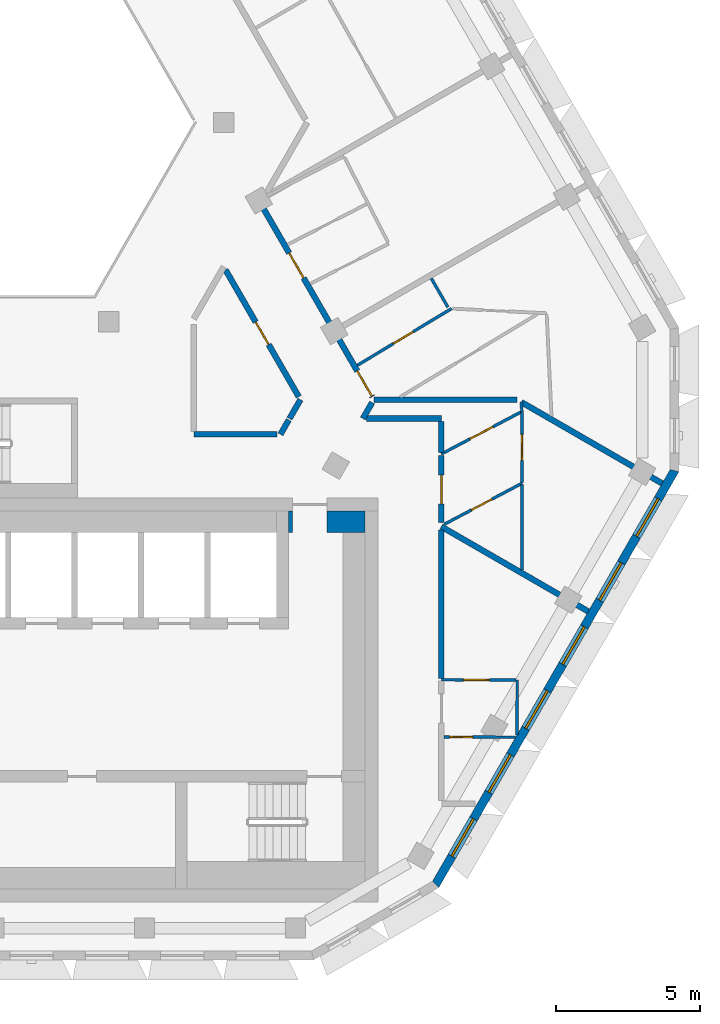
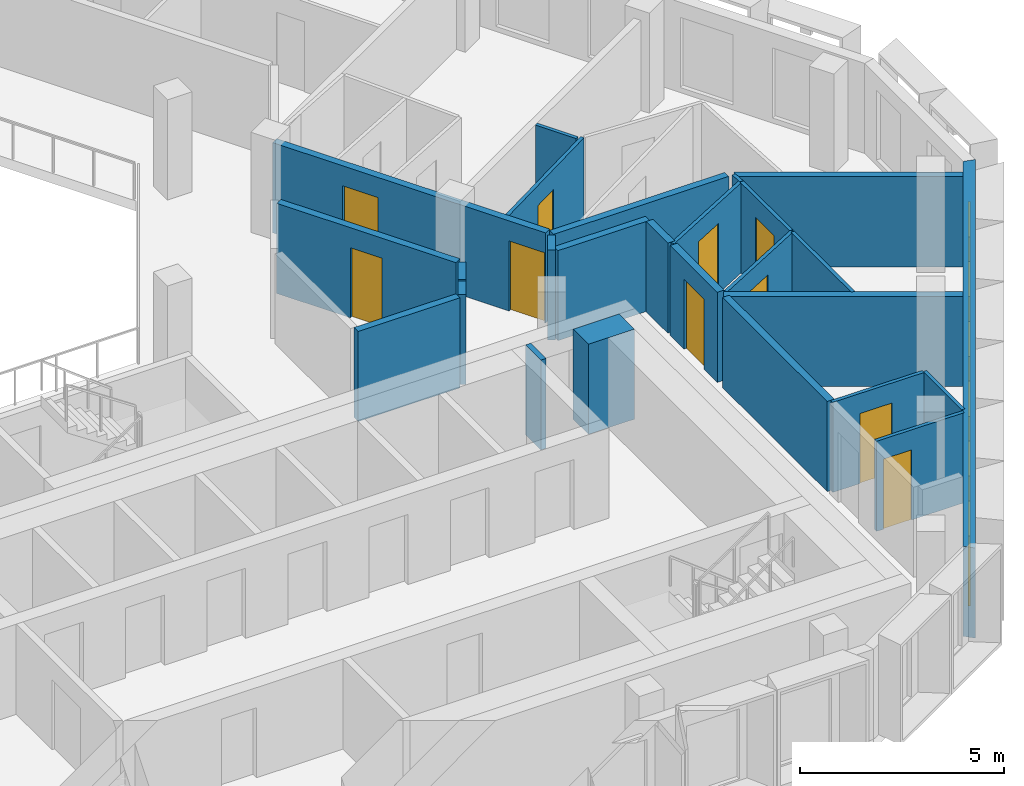
# One storey, part 6 of 16: 26 walls, 10 doors, 6 windows, 16 openings.
"""IFC4 building model written with IfcOpenShell, lengths in metres."""

from ifc_helpers import new_model, si_unit, direction, frame, frame_2d, origin, place, context, subcontext, project, spatial, polyline, rectangle, outline, extrude, material, layer, layer_set, type_object, element, fill, save


model = new_model("IFC4")

# Units and contexts
model_context = context("Model", 3, precision=1e-05, world=origin(), true_north=direction((0.0, 1.0)))
body_context = subcontext(model_context, "Body", "Model", "MODEL_VIEW")
ifc_project = project(units=[si_unit("LENGTHUNIT", "METRE"), si_unit("AREAUNIT", "SQUARE_METRE"), si_unit("VOLUMEUNIT", "CUBIC_METRE"), si_unit("PLANEANGLEUNIT", "RADIAN"), si_unit("MASSUNIT", "GRAM", prefix="KILO")], contexts=[model_context])

# Site, building, storey
site_placement = place(None, origin())
site = spatial("IfcSite", under=ifc_project, at=site_placement, CompositionType="ELEMENT")
building_placement = place(site_placement, origin())
building = spatial("IfcBuilding", under=site, at=building_placement, Name="Beryl Residences", CompositionType="ELEMENT")
storey_placement = place(building_placement, frame((0.0, 0.0, 238.800048828125)))
storey = spatial("IfcBuildingStorey", under=building, at=storey_placement, Name="L74", CompositionType="ELEMENT", Elevation=238.800048828125)

# Wall, openings, windows
ifc_material_1 = material(Name="Composite metal panel with mineral wool insulation")
ifc_layer_1 = layer(ifc_material_1, 0.300048828125)
ifc_layer_set_1 = layer_set([ifc_layer_1], Name="ES1 pale metal composite panel wall 300 mm")
wall_type_1 = type_object("IfcWallType", Name="ES1 pale metal composite panel wall 300 mm", PredefinedType="SOLIDWALL", material=ifc_layer_set_1)
wall_1_placement = place(storey_placement, frame((15.284912109375, -18.425048828125, 0.0), z_axis=(0.0, 0.0, 1.0), x_axis=(0.500012653391, 0.866018098222, 0.0)))
wall_1 = element("IfcWall", 1, at=wall_1_placement, inside=storey, type_object=wall_type_1, Name="ES1 external wall L74 SE", PredefinedType="SOLIDWALL", context=body_context, shape_type="SweptSolid", body=[
    extrude(outline(polyline([(0.0, -0.14990234375), (16.6279296875, -0.14990234375), (16.547607421875, 0.14990234375), (0.080322265625, 0.14990234375), (0.0, -0.14990234375)])), origin(), (0.0, 0.0, 1.0), 2.699951171875),
])
opening_1_placement = place(wall_1_placement, frame((1.1650390625, 0.0, 0.14990234375)))
opening_1 = element("IfcOpeningElement", 2, at=opening_1_placement, cuts=wall_1, Name="Opening W1", PredefinedType="OPENING", context=body_context, shape_type="SweptSolid", body=[
    extrude(rectangle(XDim=1.5, YDim=2.10009765625, at=frame_2d((0.75, 1.050048828125))), frame((0.0, 0.159912109375, 0.0), z_axis=(0.0, -1.0, 0.0), x_axis=(1.0, 0.0, 0.0)), (0.0, 0.0, 1.0), 0.320068359375),
])
opening_2_placement = place(wall_1_placement, frame((3.72412109375, 0.0, 0.14990234375)))
opening_2 = element("IfcOpeningElement", 3, at=opening_2_placement, cuts=wall_1, Name="Opening W1", PredefinedType="OPENING", context=body_context, shape_type="SweptSolid", body=[
    extrude(rectangle(XDim=1.5, YDim=2.10009765625, at=frame_2d((0.75, 1.050048828125))), frame((0.0, 0.159912109375, 0.0), z_axis=(0.0, -1.0, 0.0), x_axis=(1.0, 0.0, 0.0)), (0.0, 0.0, 1.0), 0.320068359375),
])
opening_3_placement = place(wall_1_placement, frame((6.282958984375, 0.0, 0.14990234375)))
opening_3 = element("IfcOpeningElement", 4, at=opening_3_placement, cuts=wall_1, Name="Opening W1", PredefinedType="OPENING", context=body_context, shape_type="SweptSolid", body=[
    extrude(rectangle(XDim=1.5, YDim=2.10009765625, at=frame_2d((0.75, 1.050048828125))), frame((0.0, 0.159912109375, 0.0), z_axis=(0.0, -1.0, 0.0), x_axis=(1.0, 0.0, 0.0)), (0.0, 0.0, 1.0), 0.320068359375),
])
opening_4_placement = place(wall_1_placement, frame((8.843017578125, 0.0, 0.14990234375)))
opening_4 = element("IfcOpeningElement", 5, at=opening_4_placement, cuts=wall_1, Name="Opening W1", PredefinedType="OPENING", context=body_context, shape_type="SweptSolid", body=[
    extrude(rectangle(XDim=1.5, YDim=2.10009765625, at=frame_2d((0.75, 1.050048828125))), frame((0.0, 0.159912109375, 0.0), z_axis=(0.0, -1.0, 0.0), x_axis=(1.0, 0.0, 0.0)), (0.0, 0.0, 1.0), 0.320068359375),
])
opening_5_placement = place(wall_1_placement, frame((11.402099609375, 0.0, 0.14990234375)))
opening_5 = element("IfcOpeningElement", 6, at=opening_5_placement, cuts=wall_1, Name="Opening W1", PredefinedType="OPENING", context=body_context, shape_type="SweptSolid", body=[
    extrude(rectangle(XDim=1.5, YDim=2.10009765625, at=frame_2d((0.75, 1.050048828125))), frame((0.0, 0.159912109375, 0.0), z_axis=(0.0, -1.0, 0.0), x_axis=(1.0, 0.0, 0.0)), (0.0, 0.0, 1.0), 0.320068359375),
])
opening_6_placement = place(wall_1_placement, frame((13.9619140625, 0.0, 0.14990234375)))
opening_6 = element("IfcOpeningElement", 7, at=opening_6_placement, cuts=wall_1, Name="Opening W1", PredefinedType="OPENING", context=body_context, shape_type="SweptSolid", body=[
    extrude(rectangle(XDim=1.5, YDim=2.10009765625, at=frame_2d((0.75, 1.050048828125))), frame((0.0, 0.159912109375, 0.0), z_axis=(0.0, -1.0, 0.0), x_axis=(1.0, 0.0, 0.0)), (0.0, 0.0, 1.0), 0.320068359375),
])
ifc_material_2 = material(Name="Aluminium and clear glass", Category="aluminium")
window_type = type_object("IfcWindowType", Name="W1 cell window 1500 x 2100 mm", PartitioningType="SINGLE_PANEL", PredefinedType="WINDOW", material=ifc_material_2)
window_1_placement = place(opening_1_placement, origin())
window_1 = element("IfcWindow", 8, at=window_1_placement, inside=storey, type_object=window_type, Name="W1 window L74 SE 1", OverallHeight=2.10009765625, OverallWidth=1.5, PartitioningType="SINGLE_PANEL", PredefinedType="WINDOW", context=body_context, shape_type="SweptSolid", body=[
    extrude(rectangle(XDim=1.5, YDim=2.10009765625, at=frame_2d((0.75, 1.050048828125))), frame((0.0, 0.030029296875, 0.0), z_axis=(0.0, -1.0, 0.0), x_axis=(1.0, 0.0, 0.0)), (0.0, 0.0, 1.0), 0.06005859375),
])
fill(opening_1, window_1)
window_2_placement = place(opening_2_placement, origin())
window_2 = element("IfcWindow", 9, at=window_2_placement, inside=storey, type_object=window_type, Name="W1 window L74 SE 2", OverallHeight=2.10009765625, OverallWidth=1.5, PartitioningType="SINGLE_PANEL", PredefinedType="WINDOW", context=body_context, shape_type="SweptSolid", body=[
    extrude(rectangle(XDim=1.5, YDim=2.10009765625, at=frame_2d((0.75, 1.050048828125))), frame((0.0, 0.030029296875, 0.0), z_axis=(0.0, -1.0, 0.0), x_axis=(1.0, 0.0, 0.0)), (0.0, 0.0, 1.0), 0.06005859375),
])
fill(opening_2, window_2)
window_3_placement = place(opening_3_placement, origin())
window_3 = element("IfcWindow", 10, at=window_3_placement, inside=storey, type_object=window_type, Name="W1 window L74 SE 3", OverallHeight=2.10009765625, OverallWidth=1.5, PartitioningType="SINGLE_PANEL", PredefinedType="WINDOW", context=body_context, shape_type="SweptSolid", body=[
    extrude(rectangle(XDim=1.5, YDim=2.10009765625, at=frame_2d((0.75, 1.050048828125))), frame((0.0, 0.030029296875, 0.0), z_axis=(0.0, -1.0, 0.0), x_axis=(1.0, 0.0, 0.0)), (0.0, 0.0, 1.0), 0.06005859375),
])
fill(opening_3, window_3)
window_4_placement = place(opening_4_placement, origin())
window_4 = element("IfcWindow", 11, at=window_4_placement, inside=storey, type_object=window_type, Name="W1 window L74 SE 4", OverallHeight=2.10009765625, OverallWidth=1.5, PartitioningType="SINGLE_PANEL", PredefinedType="WINDOW", context=body_context, shape_type="SweptSolid", body=[
    extrude(rectangle(XDim=1.5, YDim=2.10009765625, at=frame_2d((0.75, 1.050048828125))), frame((0.0, 0.030029296875, 0.0), z_axis=(0.0, -1.0, 0.0), x_axis=(1.0, 0.0, 0.0)), (0.0, 0.0, 1.0), 0.06005859375),
])
fill(opening_4, window_4)
window_5_placement = place(opening_5_placement, origin())
window_5 = element("IfcWindow", 12, at=window_5_placement, inside=storey, type_object=window_type, Name="W1 window L74 SE 5", OverallHeight=2.10009765625, OverallWidth=1.5, PartitioningType="SINGLE_PANEL", PredefinedType="WINDOW", context=body_context, shape_type="SweptSolid", body=[
    extrude(rectangle(XDim=1.5, YDim=2.10009765625, at=frame_2d((0.75, 1.050048828125))), frame((0.0, 0.030029296875, 0.0), z_axis=(0.0, -1.0, 0.0), x_axis=(1.0, 0.0, 0.0)), (0.0, 0.0, 1.0), 0.06005859375),
])
fill(opening_5, window_5)
window_6_placement = place(opening_6_placement, origin())
window_6 = element("IfcWindow", 13, at=window_6_placement, inside=storey, type_object=window_type, Name="W1 window L74 SE 6", OverallHeight=2.10009765625, OverallWidth=1.5, PartitioningType="SINGLE_PANEL", PredefinedType="WINDOW", context=body_context, shape_type="SweptSolid", body=[
    extrude(rectangle(XDim=1.5, YDim=2.10009765625, at=frame_2d((0.75, 1.050048828125))), frame((0.0, 0.030029296875, 0.0), z_axis=(0.0, -1.0, 0.0), x_axis=(1.0, 0.0, 0.0)), (0.0, 0.0, 1.0), 0.06005859375),
])
fill(opening_6, window_6)

# Wall, opening, door
ifc_material_3 = material(Name="Gypsum board partition on steel studs", Category="steel")
ifc_layer_2 = layer(ifc_material_3, 0.10009765625)
ifc_layer_set_2 = layer_set([ifc_layer_2], Name="PT1 partition 100 mm gypsum board on steel studs")
wall_type_2 = type_object("IfcWallType", Name="PT1 partition 100 mm gypsum board on steel studs", PredefinedType="PARTITIONING", material=ifc_layer_set_2)
wall_2_placement = place(storey_placement, frame((15.5, -11.300048828125, 0.0), z_axis=(0.0, 0.0, 1.0), x_axis=(0.999985476631, -0.005389482996, 0.0)))
wall_2 = element("IfcWall", 14, at=wall_2_placement, inside=storey, type_object=wall_type_2, Name="Wall PT1 L74 001", PredefinedType="PARTITIONING", context=body_context, shape_type="SweptSolid", body=[
    extrude(rectangle(XDim=2.58203125, YDim=0.10009765625, at=frame_2d((1.291015625, 0.0))), origin(), (0.0, 0.0, 1.0), 2.699951171875),
])
opening_7_placement = place(wall_2_placement, frame((0.76708984375, 0.0, 0.0)))
opening_7 = element("IfcOpeningElement", 15, at=opening_7_placement, cuts=wall_2, Name="Opening D2025", PredefinedType="OPENING", context=body_context, shape_type="SweptSolid", body=[
    extrude(rectangle(XDim=0.89990234375, YDim=2.10009765625, at=frame_2d((0.449951171875, 1.050048828125))), frame((0.0, 0.06005859375, 0.0), z_axis=(0.0, -1.0, 0.0), x_axis=(1.0, 0.0, 0.0)), (0.0, 0.0, 1.0), 0.1201171875),
])
ifc_material_4 = material(Name="Timber door leaf", Category="wood")
door_type_1 = type_object("IfcDoorType", Name="D2 room door 900 x 2100 mm", OperationType="SINGLE_SWING_LEFT", PredefinedType="DOOR", material=ifc_material_4)
door_1_placement = place(opening_7_placement, origin())
door_1 = element("IfcDoor", 16, at=door_1_placement, inside=storey, type_object=door_type_1, Name="Door D2025 L74 001", OperationType="SINGLE_SWING_LEFT", OverallHeight=2.10009765625, OverallWidth=0.89990234375, PredefinedType="DOOR", context=body_context, shape_type="SweptSolid", body=[
    extrude(rectangle(XDim=0.89990234375, YDim=2.10009765625, at=frame_2d((0.449951171875, 1.050048828125))), frame((0.0, 0.02490234375, 0.0), z_axis=(0.0, -1.0, 0.0), x_axis=(1.0, 0.0, 0.0)), (0.0, 0.0, 1.0), 0.050048828125),
])
fill(opening_7, door_1)

wall_3_placement = place(storey_placement, frame((15.60009765625, -13.281005859375, 0.0), z_axis=(0.0, 0.0, 1.0), x_axis=(0.999986321554, -0.005230363667, 0.0)))
wall_3 = element("IfcWall", 17, at=wall_3_placement, inside=storey, type_object=wall_type_2, Name="Wall PT1 L74 002", PredefinedType="PARTITIONING", context=body_context, shape_type="SweptSolid", body=[
    extrude(rectangle(XDim=2.473876953125, YDim=0.10009765625, at=frame_2d((1.23681640625, 0.0))), origin(), (0.0, 0.0, 1.0), 2.699951171875),
])
opening_8_placement = place(wall_3_placement, frame((0.18701171875, 0.0, 0.0)))
opening_8 = element("IfcOpeningElement", 18, at=opening_8_placement, cuts=wall_3, Name="Opening D2026", PredefinedType="OPENING", context=body_context, shape_type="SweptSolid", body=[
    extrude(rectangle(XDim=0.800048828125, YDim=2.10009765625, at=frame_2d((0.39990234375, 1.050048828125))), frame((0.0, 0.06005859375, 0.0), z_axis=(0.0, -1.0, 0.0), x_axis=(1.0, 0.0, 0.0)), (0.0, 0.0, 1.0), 0.1201171875),
])
ifc_material_5 = material(Name="Timber door leaf", Category="wood")
door_type_2 = type_object("IfcDoorType", Name="D3 bathroom door 800 x 2100 mm", OperationType="SINGLE_SWING_LEFT", PredefinedType="DOOR", material=ifc_material_5)
door_2_placement = place(opening_8_placement, origin())
door_2 = element("IfcDoor", 19, at=door_2_placement, inside=storey, type_object=door_type_2, Name="Door D2026 L74 001", OperationType="SINGLE_SWING_RIGHT", OverallHeight=2.10009765625, OverallWidth=0.800048828125, PredefinedType="DOOR", context=body_context, shape_type="SweptSolid", body=[
    extrude(rectangle(XDim=0.800048828125, YDim=2.10009765625, at=frame_2d((0.39990234375, 1.050048828125))), frame((0.0, 0.02490234375, 0.0), z_axis=(0.0, -1.0, 0.0), x_axis=(1.0, 0.0, 0.0)), (0.0, 0.0, 1.0), 0.050048828125),
])
fill(opening_8, door_2)

# Walls
wall_4_placement = place(storey_placement, frame((15.154052734375, 2.60107421875, 0.0), z_axis=(0.0, 0.0, 1.0), x_axis=(0.499808046739, -0.866136199691, 0.0)))
element("IfcWall", 20, at=wall_4_placement, inside=storey, type_object=wall_type_2, Name="Wall PT1 L74 004", PredefinedType="PARTITIONING", context=body_context, shape_type="SweptSolid", body=[
    extrude(rectangle(XDim=1.15234375, YDim=0.10009765625, at=frame_2d((0.576171875, 0.0))), origin(), (0.0, 0.0, 1.0), 2.699951171875),
])
wall_5_placement = place(storey_placement, frame((18.27490234375, -1.68603515625, 0.0), z_axis=(0.0, 0.0, 1.0), x_axis=(0.049063646166, -0.998795654088, 0.0)))
element("IfcWall", 21, at=wall_5_placement, inside=storey, type_object=wall_type_2, Name="Wall PT1 L74 011", PredefinedType="PARTITIONING", context=body_context, shape_type="SweptSolid", body=[
    extrude(rectangle(XDim=0.348388671875, YDim=0.10009765625, at=frame_2d((0.17431640625, 0.0))), origin(), (0.0, 0.0, 1.0), 2.699951171875),
])

# Wall, opening, door
wall_6_placement = place(storey_placement, frame((18.291015625, -2.048095703125, 0.0), z_axis=(0.0, 0.0, 1.0), x_axis=(0.003743776253, -0.999992992045, 0.0)))
wall_6 = element("IfcWall", 22, at=wall_6_placement, inside=storey, type_object=wall_type_2, Name="Wall PT1 L74 013", PredefinedType="PARTITIONING", context=body_context, shape_type="SweptSolid", body=[
    extrude(rectangle(XDim=2.412841796875, YDim=0.10009765625, at=frame_2d((1.20654296875, 0.0))), origin(), (0.0, 0.0, 1.0), 2.699951171875),
])
opening_9_placement = place(wall_6_placement, frame((0.756103515625, 0.0, 0.0)))
opening_9 = element("IfcOpeningElement", 23, at=opening_9_placement, cuts=wall_6, Name="Opening D2030", PredefinedType="OPENING", context=body_context, shape_type="SweptSolid", body=[
    extrude(rectangle(XDim=0.89990234375, YDim=2.10009765625, at=frame_2d((0.449951171875, 1.050048828125))), frame((0.0, 0.06005859375, 0.0), z_axis=(0.0, -1.0, 0.0), x_axis=(1.0, 0.0, 0.0)), (0.0, 0.0, 1.0), 0.1201171875),
])
door_3_placement = place(opening_9_placement, origin())
door_3 = element("IfcDoor", 24, at=door_3_placement, inside=storey, type_object=door_type_1, Name="Door D2030 L74 001", OperationType="SINGLE_SWING_RIGHT", OverallHeight=2.10009765625, OverallWidth=0.89990234375, PredefinedType="DOOR", context=body_context, shape_type="SweptSolid", body=[
    extrude(rectangle(XDim=0.89990234375, YDim=2.10009765625, at=frame_2d((0.449951171875, 1.050048828125))), frame((0.0, 0.02490234375, 0.0), z_axis=(0.0, -1.0, 0.0), x_axis=(1.0, 0.0, 0.0)), (0.0, 0.0, 1.0), 0.050048828125),
])
fill(opening_9, door_3)

# Walls
wall_7_placement = place(storey_placement, frame((18.123046875, -13.208984375, 0.0), z_axis=(0.0, 0.0, 1.0), x_axis=(0.005284793433, 0.999986035382, 0.0)))
element("IfcWall", 25, at=wall_7_placement, inside=storey, type_object=wall_type_2, Name="Wall PT1 L74 031", PredefinedType="PARTITIONING", context=body_context, shape_type="SweptSolid", body=[
    extrude(rectangle(XDim=1.89404296875, YDim=0.10009765625, at=frame_2d((0.947021484375, 0.0))), origin(), (0.0, 0.0, 1.0), 2.699951171875),
])
wall_8_placement = place(storey_placement, frame((18.300048828125, -7.49609375, 0.0), z_axis=(0.0, 0.0, 1.0), x_axis=(0.0, 1.0, 0.0)))
element("IfcWall", 26, at=wall_8_placement, inside=storey, type_object=wall_type_2, Name="Wall PT1 L74 032", PredefinedType="PARTITIONING", context=body_context, shape_type="SweptSolid", body=[
    extrude(rectangle(XDim=2.965087890625, YDim=0.10009765625, at=frame_2d((1.482421875, 0.0))), origin(), (0.0, 0.0, 1.0), 2.699951171875),
])

# Wall, opening, door
wall_9_placement = place(storey_placement, frame((15.5, -3.48388671875, 0.0), z_axis=(0.0, 0.0, 1.0), x_axis=(0.884530210683, 0.466482911145, 0.0)))
wall_9 = element("IfcWall", 27, at=wall_9_placement, inside=storey, type_object=wall_type_2, Name="Wall PT1 L74 039", PredefinedType="PARTITIONING", context=body_context, shape_type="SweptSolid", body=[
    extrude(rectangle(XDim=3.1552734375, YDim=0.10009765625, at=frame_2d((1.57763671875, 0.0))), origin(), (0.0, 0.0, 1.0), 2.699951171875),
])
opening_10_placement = place(wall_9_placement, frame((1.1279296875, 0.0, 0.0)))
opening_10 = element("IfcOpeningElement", 28, at=opening_10_placement, cuts=wall_9, Name="Opening D2029", PredefinedType="OPENING", context=body_context, shape_type="SweptSolid", body=[
    extrude(rectangle(XDim=0.89990234375, YDim=2.10009765625, at=frame_2d((0.449951171875, 1.050048828125))), frame((0.0, 0.06005859375, 0.0), z_axis=(0.0, -1.0, 0.0), x_axis=(1.0, 0.0, 0.0)), (0.0, 0.0, 1.0), 0.1201171875),
])
door_4_placement = place(opening_10_placement, origin())
door_4 = element("IfcDoor", 29, at=door_4_placement, inside=storey, type_object=door_type_1, Name="Door D2029 L74 001", OperationType="SINGLE_SWING_LEFT", OverallHeight=2.10009765625, OverallWidth=0.89990234375, PredefinedType="DOOR", context=body_context, shape_type="SweptSolid", body=[
    extrude(rectangle(XDim=0.89990234375, YDim=2.10009765625, at=frame_2d((0.449951171875, 1.050048828125))), frame((0.0, 0.02490234375, 0.0), z_axis=(0.0, -1.0, 0.0), x_axis=(1.0, 0.0, 0.0)), (0.0, 0.0, 1.0), 0.050048828125),
])
fill(opening_10, door_4)

wall_10_placement = place(storey_placement, frame((15.60498046875, -5.916015625, 0.0), z_axis=(0.0, 0.0, 1.0), x_axis=(0.884422415573, 0.466687251627, 0.0)))
wall_10 = element("IfcWall", 30, at=wall_10_placement, inside=storey, type_object=wall_type_2, Name="Wall PT1 L74 040", PredefinedType="PARTITIONING", context=body_context, shape_type="SweptSolid", body=[
    extrude(rectangle(XDim=3.04736328125, YDim=0.10009765625, at=frame_2d((1.523681640625, 0.0))), origin(), (0.0, 0.0, 1.0), 2.699951171875),
])
opening_11_placement = place(wall_10_placement, frame((1.06494140625, 0.0, 0.0)))
opening_11 = element("IfcOpeningElement", 31, at=opening_11_placement, cuts=wall_10, Name="Opening D2028", PredefinedType="OPENING", context=body_context, shape_type="SweptSolid", body=[
    extrude(rectangle(XDim=0.800048828125, YDim=2.10009765625, at=frame_2d((0.39990234375, 1.050048828125))), frame((0.0, 0.06005859375, 0.0), z_axis=(0.0, -1.0, 0.0), x_axis=(1.0, 0.0, 0.0)), (0.0, 0.0, 1.0), 0.1201171875),
])
door_5_placement = place(opening_11_placement, origin())
door_5 = element("IfcDoor", 32, at=door_5_placement, inside=storey, type_object=door_type_2, Name="Door D2028 L74 001", OperationType="SINGLE_SWING_RIGHT", OverallHeight=2.10009765625, OverallWidth=0.800048828125, PredefinedType="DOOR", context=body_context, shape_type="SweptSolid", body=[
    extrude(rectangle(XDim=0.800048828125, YDim=2.10009765625, at=frame_2d((0.39990234375, 1.050048828125))), frame((0.0, 0.02490234375, 0.0), z_axis=(0.0, -1.0, 0.0), x_axis=(1.0, 0.0, 0.0)), (0.0, 0.0, 1.0), 0.050048828125),
])
fill(opening_11, door_5)

wall_11_placement = place(storey_placement, frame((12.593017578125, -0.410888671875, 0.0), z_axis=(0.0, 0.0, 1.0), x_axis=(0.856558445359, 0.516050026339, 0.0)))
wall_11 = element("IfcWall", 33, at=wall_11_placement, inside=storey, type_object=wall_type_2, Name="Wall PT1 L74 045", PredefinedType="PARTITIONING", context=body_context, shape_type="SweptSolid", body=[
    extrude(rectangle(XDim=3.809326171875, YDim=0.10009765625, at=frame_2d((1.90478515625, 0.0))), origin(), (0.0, 0.0, 1.0), 2.699951171875),
])
opening_12_placement = place(wall_11_placement, frame((1.455078125, 0.0, 0.0)))
opening_12 = element("IfcOpeningElement", 34, at=opening_12_placement, cuts=wall_11, Name="Opening D2033", PredefinedType="OPENING", context=body_context, shape_type="SweptSolid", body=[
    extrude(rectangle(XDim=0.800048828125, YDim=2.10009765625, at=frame_2d((0.39990234375, 1.050048828125))), frame((0.0, 0.06005859375, 0.0), z_axis=(0.0, -1.0, 0.0), x_axis=(1.0, 0.0, 0.0)), (0.0, 0.0, 1.0), 0.1201171875),
])
door_6_placement = place(opening_12_placement, origin())
door_6 = element("IfcDoor", 35, at=door_6_placement, inside=storey, type_object=door_type_2, Name="Door D2033 L74 001", OperationType="SINGLE_SWING_LEFT", OverallHeight=2.10009765625, OverallWidth=0.800048828125, PredefinedType="DOOR", context=body_context, shape_type="SweptSolid", body=[
    extrude(rectangle(XDim=0.800048828125, YDim=2.10009765625, at=frame_2d((0.39990234375, 1.050048828125))), frame((0.0, 0.02490234375, 0.0), z_axis=(0.0, -1.0, 0.0), x_axis=(1.0, 0.0, 0.0)), (0.0, 0.0, 1.0), 0.050048828125),
])
fill(opening_12, door_6)

# Walls
ifc_material_6 = material(Name="Concrete masonry", Category="masonry")
ifc_layer_3 = layer(ifc_material_6, 0.14990234375)
ifc_layer_set_3 = layer_set([ifc_layer_3], Name="PT13-150 lobby wall 150 mm")
wall_type_3 = type_object("IfcWallType", Name="PT13-150 lobby wall 150 mm", PredefinedType="PARTITIONING", material=ifc_layer_set_3)
wall_12_placement = place(storey_placement, frame((10.27490234375, -6.199951171875, 0.0), z_axis=(0.0, 0.0, 1.0), x_axis=(0.0, 1.0, 0.0)))
element("IfcWall", 36, at=wall_12_placement, inside=storey, type_object=wall_type_3, Name="Lobby wall 24", PredefinedType="PARTITIONING", context=body_context, shape_type="SweptSolid", body=[
    extrude(rectangle(XDim=0.75, YDim=0.14990234375, at=frame_2d((0.375, 0.0))), origin(), (0.0, 0.0, 1.0), 2.699951171875),
])
ifc_material_7 = material(Name="Concrete masonry", Category="masonry")
ifc_layer_4 = layer(ifc_material_7, 0.75)
ifc_layer_set_4 = layer_set([ifc_layer_4], Name="PT13-750 lobby wall 750 mm")
wall_type_4 = type_object("IfcWallType", Name="PT13-750 lobby wall 750 mm", PredefinedType="PARTITIONING", material=ifc_layer_set_4)
wall_13_placement = place(storey_placement, frame((11.550048828125, -5.824951171875, 0.0), z_axis=(0.0, 0.0, 1.0), x_axis=(1.0, 0.0, 0.0)))
element("IfcWall", 37, at=wall_13_placement, inside=storey, type_object=wall_type_4, Name="Lobby wall 25", PredefinedType="PARTITIONING", context=body_context, shape_type="SweptSolid", body=[
    extrude(rectangle(XDim=1.300048828125, YDim=0.75, at=frame_2d((0.64990234375, 0.0))), origin(), (0.0, 0.0, 1.0), 2.699951171875),
])
ifc_material_8 = material(Name="Acoustic double stud gypsum board wall")
ifc_layer_5 = layer(ifc_material_8, 0.199951171875)
ifc_layer_set_5 = layer_set([ifc_layer_5], Name="PT3 party wall 200 mm acoustic double stud")
wall_type_5 = type_object("IfcWallType", Name="PT3 party wall 200 mm acoustic double stud", PredefinedType="PARTITIONING", material=ifc_layer_set_5)
wall_14_placement = place(storey_placement, frame((18.27490234375, -1.68603515625, 0.0), z_axis=(0.0, 0.0, 1.0), x_axis=(0.866041167766, -0.49997269499, 0.0)))
element("IfcWall", 38, at=wall_14_placement, inside=storey, type_object=wall_type_5, Name="Wall PT3 L74 003", PredefinedType="PARTITIONING", context=body_context, shape_type="SweptSolid", body=[
    extrude(rectangle(XDim=5.630126953125, YDim=0.199951171875, at=frame_2d((2.81494140625, 0.0))), origin(), (0.0, 0.0, 1.0), 2.699951171875),
])
wall_15_placement = place(storey_placement, frame((15.5, -5.9951171875, 0.0), z_axis=(0.0, 0.0, 1.0), x_axis=(0.866052111102, -0.499953738716, 0.0)))
element("IfcWall", 39, at=wall_15_placement, inside=storey, type_object=wall_type_5, Name="Wall PT3 L74 004", PredefinedType="PARTITIONING", context=body_context, shape_type="SweptSolid", body=[
    extrude(rectangle(XDim=5.87841796875, YDim=0.199951171875, at=frame_2d((2.939208984375, 0.0))), origin(), (0.0, 0.0, 1.0), 2.699951171875),
])
wall_16_placement = place(storey_placement, frame((13.1630859375, -1.59912109375, 0.0), z_axis=(0.0, 0.0, 1.0), x_axis=(1.0, 0.0, 0.0)))
element("IfcWall", 40, at=wall_16_placement, inside=storey, type_object=wall_type_5, Name="Wall PT3 L74 007", PredefinedType="PARTITIONING", context=body_context, shape_type="SweptSolid", body=[
    extrude(rectangle(XDim=4.9619140625, YDim=0.199951171875, at=frame_2d((2.48095703125, 0.0))), origin(), (0.0, 0.0, 1.0), 2.699951171875),
])

# Wall, opening, door
ifc_material_9 = material(Name="Double stud gypsum board wall")
ifc_layer_6 = layer(ifc_material_9, 0.199951171875)
ifc_layer_set_6 = layer_set([ifc_layer_6], Name="PT4 corridor wall 200 mm double stud")
wall_type_6 = type_object("IfcWallType", Name="PT4 corridor wall 200 mm double stud", PredefinedType="PARTITIONING", material=ifc_layer_set_6)
wall_17_placement = place(storey_placement, frame((8.02587890625, 2.89892578125, 0.0), z_axis=(0.0, 0.0, 1.0), x_axis=(0.499986018985, -0.866033475577, 0.0)))
wall_17 = element("IfcWall", 41, at=wall_17_placement, inside=storey, type_object=wall_type_6, Name="Wall PT4 L74 005", PredefinedType="PARTITIONING", context=body_context, shape_type="SweptSolid", body=[
    extrude(rectangle(XDim=5.078369140625, YDim=0.199951171875, at=frame_2d((2.5390625, 0.0))), origin(), (0.0, 0.0, 1.0), 2.699951171875),
])
opening_13_placement = place(wall_17_placement, frame((2.089111328125, 0.0, 0.0)))
opening_13 = element("IfcOpeningElement", 42, at=opening_13_placement, cuts=wall_17, Name="Opening D2039", PredefinedType="OPENING", context=body_context, shape_type="SweptSolid", body=[
    extrude(rectangle(XDim=0.89990234375, YDim=2.10009765625, at=frame_2d((0.449951171875, 1.050048828125))), frame((0.0, 0.10986328125, 0.0), z_axis=(0.0, -1.0, 0.0), x_axis=(1.0, 0.0, 0.0)), (0.0, 0.0, 1.0), 0.219970703125),
])
door_7_placement = place(opening_13_placement, origin())
door_7 = element("IfcDoor", 43, at=door_7_placement, inside=storey, type_object=door_type_1, Name="Door D2039 L74 001", OperationType="SINGLE_SWING_LEFT", OverallHeight=2.10009765625, OverallWidth=0.89990234375, PredefinedType="DOOR", context=body_context, shape_type="SweptSolid", body=[
    extrude(rectangle(XDim=0.89990234375, YDim=2.10009765625, at=frame_2d((0.449951171875, 1.050048828125))), frame((0.0, 0.02490234375, 0.0), z_axis=(0.0, -1.0, 0.0), x_axis=(1.0, 0.0, 0.0)), (0.0, 0.0, 1.0), 0.050048828125),
])
fill(opening_13, door_7)

# Wall, openings, doors
wall_18_placement = place(storey_placement, frame((9.238037109375, 5.199951171875, 0.0), z_axis=(0.0, 0.0, 1.0), x_axis=(0.500025705601, -0.86601056214, 0.0)))
wall_18 = element("IfcWall", 44, at=wall_18_placement, inside=storey, type_object=wall_type_6, Name="Wall PT4 L74 006", PredefinedType="PARTITIONING", context=body_context, shape_type="SweptSolid", body=[
    extrude(rectangle(XDim=7.7353515625, YDim=0.199951171875, at=frame_2d((3.86767578125, 0.0))), origin(), (0.0, 0.0, 1.0), 2.699951171875),
])
opening_14_placement = place(wall_18_placement, frame((6.705078125, 0.0, 0.0)))
opening_14 = element("IfcOpeningElement", 45, at=opening_14_placement, cuts=wall_18, Name="Opening D2031", PredefinedType="OPENING", context=body_context, shape_type="SweptSolid", body=[
    extrude(rectangle(XDim=1.0, YDim=2.10009765625, at=frame_2d((0.5, 1.050048828125))), frame((0.0, 0.10986328125, 0.0), z_axis=(0.0, -1.0, 0.0), x_axis=(1.0, 0.0, 0.0)), (0.0, 0.0, 1.0), 0.219970703125),
])
opening_15_placement = place(wall_18_placement, frame((1.988037109375, 0.0, 0.0)))
opening_15 = element("IfcOpeningElement", 46, at=opening_15_placement, cuts=wall_18, Name="Opening D2035", PredefinedType="OPENING", context=body_context, shape_type="SweptSolid", body=[
    extrude(rectangle(XDim=1.0, YDim=2.10009765625, at=frame_2d((0.5, 1.050048828125))), frame((0.0, 0.10986328125, 0.0), z_axis=(0.0, -1.0, 0.0), x_axis=(1.0, 0.0, 0.0)), (0.0, 0.0, 1.0), 0.219970703125),
])
ifc_material_10 = material(Name="Timber door leaf", Category="wood")
door_type_3 = type_object("IfcDoorType", Name="D1 flat entrance door 1000 x 2100 mm", OperationType="SINGLE_SWING_LEFT", PredefinedType="DOOR", material=ifc_material_10)
door_8_placement = place(opening_14_placement, origin())
door_8 = element("IfcDoor", 47, at=door_8_placement, inside=storey, type_object=door_type_3, Name="Door D2031 L74 001", OperationType="SINGLE_SWING_LEFT", OverallHeight=2.10009765625, OverallWidth=1.0, PredefinedType="DOOR", context=body_context, shape_type="SweptSolid", body=[
    extrude(rectangle(XDim=1.0, YDim=2.10009765625, at=frame_2d((0.5, 1.050048828125))), frame((0.0, 0.02490234375, 0.0), z_axis=(0.0, -1.0, 0.0), x_axis=(1.0, 0.0, 0.0)), (0.0, 0.0, 1.0), 0.050048828125),
])
fill(opening_14, door_8)
door_9_placement = place(opening_15_placement, origin())
door_9 = element("IfcDoor", 48, at=door_9_placement, inside=storey, type_object=door_type_3, Name="Door D2035 L74 001", OperationType="SINGLE_SWING_LEFT", OverallHeight=2.10009765625, OverallWidth=1.0, PredefinedType="DOOR", context=body_context, shape_type="SweptSolid", body=[
    extrude(rectangle(XDim=1.0, YDim=2.10009765625, at=frame_2d((0.5, 1.050048828125))), frame((0.0, 0.02490234375, 0.0), z_axis=(0.0, -1.0, 0.0), x_axis=(1.0, 0.0, 0.0)), (0.0, 0.0, 1.0), 0.050048828125),
])
fill(opening_15, door_9)

# Walls
wall_19_placement = place(storey_placement, frame((15.5, -2.35595703125, 0.0), z_axis=(0.0, 0.0, 1.0), x_axis=(0.0, -1.0, 0.0)))
element("IfcWall", 49, at=wall_19_placement, inside=storey, type_object=wall_type_6, Name="Wall PT4 L74 010", PredefinedType="PARTITIONING", context=body_context, shape_type="SweptSolid", body=[
    extrude(rectangle(XDim=1.071044921875, YDim=0.199951171875, at=frame_2d((0.53564453125, 0.0))), origin(), (0.0, 0.0, 1.0), 2.699951171875),
])
wall_20_placement = place(storey_placement, frame((15.5, -6.110107421875, 0.0), z_axis=(0.0, 0.0, 1.0), x_axis=(0.0, -1.0, 0.0)))
element("IfcWall", 50, at=wall_20_placement, inside=storey, type_object=wall_type_6, Name="Wall PT4 L74 011", PredefinedType="PARTITIONING", context=body_context, shape_type="SweptSolid", body=[
    extrude(rectangle(XDim=5.139892578125, YDim=0.199951171875, at=frame_2d((2.56982421875, 0.0))), origin(), (0.0, 0.0, 1.0), 2.699951171875),
])
wall_21_placement = place(storey_placement, frame((12.902099609375, -2.256103515625, 0.0), z_axis=(0.0, 0.0, 1.0), x_axis=(1.0, 0.0, 0.0)))
element("IfcWall", 51, at=wall_21_placement, inside=storey, type_object=wall_type_6, Name="Wall PT4 L74 014", PredefinedType="PARTITIONING", context=body_context, shape_type="SweptSolid", body=[
    extrude(rectangle(XDim=2.597900390625, YDim=0.199951171875, at=frame_2d((1.298828125, 0.0))), origin(), (0.0, 0.0, 1.0), 2.699951171875),
])
wall_22_placement = place(storey_placement, frame((6.928955078125, -2.800048828125, 0.0), z_axis=(0.0, 0.0, 1.0), x_axis=(1.0, 0.0, 0.0)))
element("IfcWall", 52, at=wall_22_placement, inside=storey, type_object=wall_type_6, Name="Wall PT4 L74 017", PredefinedType="PARTITIONING", context=body_context, shape_type="SweptSolid", body=[
    extrude(rectangle(XDim=2.885009765625, YDim=0.199951171875, at=frame_2d((1.4423828125, 0.0))), origin(), (0.0, 0.0, 1.0), 2.699951171875),
])
wall_23_placement = place(storey_placement, frame((9.929931640625, -2.800048828125, 0.0), z_axis=(0.0, 0.0, 1.0), x_axis=(0.500164219654, 0.865930570761, 0.0)))
element("IfcWall", 53, at=wall_23_placement, inside=storey, type_object=wall_type_6, Name="Wall PT4 L74 021", PredefinedType="PARTITIONING", context=body_context, shape_type="SweptSolid", body=[
    extrude(rectangle(XDim=0.573974609375, YDim=0.199951171875, at=frame_2d((0.287109375, 0.0))), origin(), (0.0, 0.0, 1.0), 2.699951171875),
])
wall_24_placement = place(storey_placement, frame((10.243896484375, -2.2548828125, 0.0), z_axis=(0.0, 0.0, 1.0), x_axis=(0.50109986513, 0.865389464442, 0.0)))
element("IfcWall", 54, at=wall_24_placement, inside=storey, type_object=wall_type_6, Name="Wall PT4 L74 022", PredefinedType="PARTITIONING", context=body_context, shape_type="SweptSolid", body=[
    extrude(rectangle(XDim=0.756591796875, YDim=0.199951171875, at=frame_2d((0.37841796875, 0.0))), origin(), (0.0, 0.0, 1.0), 2.699951171875),
])
wall_25_placement = place(storey_placement, frame((12.784912109375, -2.25390625, 0.0), z_axis=(0.0, 0.0, 1.0), x_axis=(0.500766044352, 0.865582675903, 0.0)))
element("IfcWall", 55, at=wall_25_placement, inside=storey, type_object=wall_type_6, Name="Wall PT4 L74 023", PredefinedType="PARTITIONING", context=body_context, shape_type="SweptSolid", body=[
    extrude(rectangle(XDim=0.64111328125, YDim=0.199951171875, at=frame_2d((0.320556640625, 0.0))), origin(), (0.0, 0.0, 1.0), 2.699951171875),
])

# Wall, opening, door
wall_26_placement = place(storey_placement, frame((15.5, -5.85595703125, 0.0), z_axis=(0.0, 0.0, 1.0), x_axis=(0.0, 1.0, 0.0)))
wall_26 = element("IfcWall", 56, at=wall_26_placement, inside=storey, type_object=wall_type_6, Name="Wall PT4 L74 028", PredefinedType="PARTITIONING", context=body_context, shape_type="SweptSolid", body=[
    extrude(rectangle(XDim=2.31591796875, YDim=0.199951171875, at=frame_2d((1.157958984375, 0.0))), origin(), (0.0, 0.0, 1.0), 2.699951171875),
])
opening_16_placement = place(wall_26_placement, frame((0.64404296875, 0.0, 0.0)))
opening_16 = element("IfcOpeningElement", 57, at=opening_16_placement, cuts=wall_26, Name="Opening D2027", PredefinedType="OPENING", context=body_context, shape_type="SweptSolid", body=[
    extrude(rectangle(XDim=1.0, YDim=2.10009765625, at=frame_2d((0.5, 1.050048828125))), frame((0.0, 0.10986328125, 0.0), z_axis=(0.0, -1.0, 0.0), x_axis=(1.0, 0.0, 0.0)), (0.0, 0.0, 1.0), 0.219970703125),
])
door_10_placement = place(opening_16_placement, origin())
door_10 = element("IfcDoor", 58, at=door_10_placement, inside=storey, type_object=door_type_3, Name="Door D2027 L74 001", OperationType="SINGLE_SWING_LEFT", OverallHeight=2.10009765625, OverallWidth=1.0, PredefinedType="DOOR", context=body_context, shape_type="SweptSolid", body=[
    extrude(rectangle(XDim=1.0, YDim=2.10009765625, at=frame_2d((0.5, 1.050048828125))), frame((0.0, 0.02490234375, 0.0), z_axis=(0.0, -1.0, 0.0), x_axis=(1.0, 0.0, 0.0)), (0.0, 0.0, 1.0), 0.050048828125),
])
fill(opening_16, door_10)

save(model, "model.ifc")
